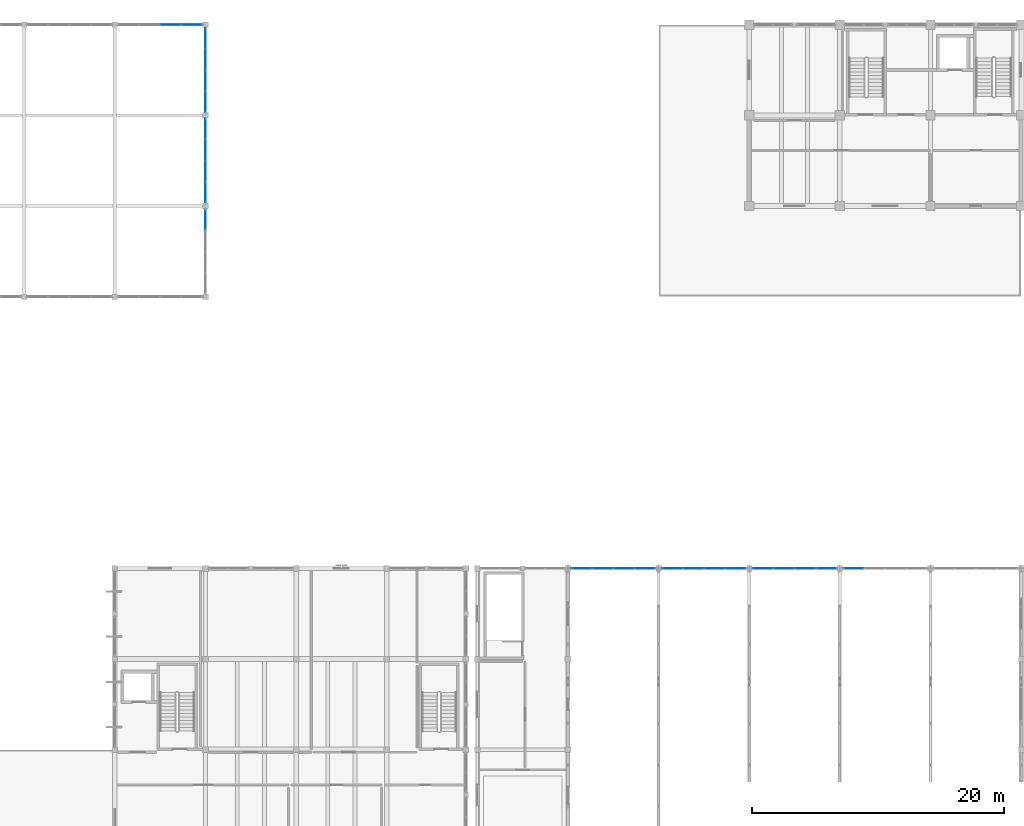
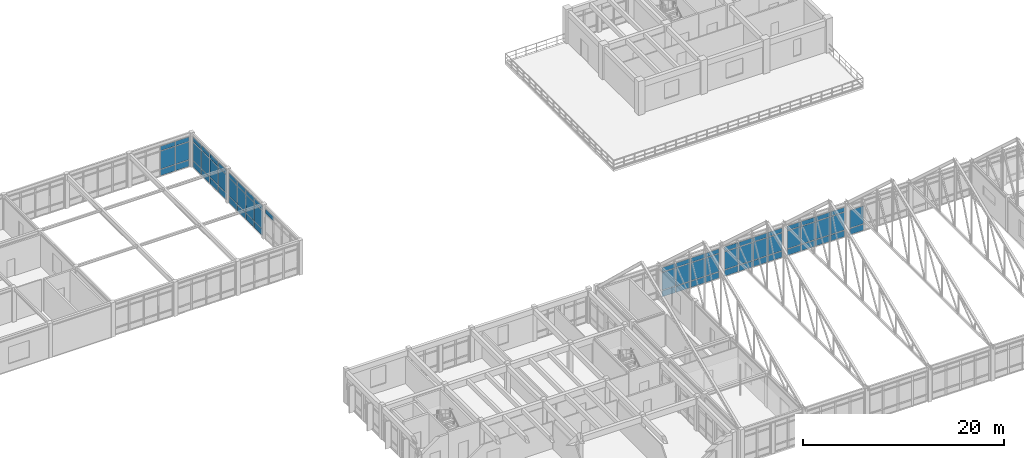
# One storey, part 83 of 136: 69 plates, 8 elements without a shape of their own.
"""IFC4 building model written with IfcOpenShell, lengths in metres."""

from ifc_helpers import new_model, si_unit, direction, frame, origin, origin_2d, place, context, subcontext, project, spatial, rectangle, extrude, material, layer, layer_set, type_object, element, aggregate, save


model = new_model("IFC4")

# Units and contexts
model_context = context("Model", 3, precision=1e-05, world=origin(), true_north=direction((0.0, 1.0)))
body_context = subcontext(model_context, "Body", "Model", "MODEL_VIEW")
ifc_project = project(units=[si_unit("LENGTHUNIT", "METRE"), si_unit("AREAUNIT", "SQUARE_METRE"), si_unit("VOLUMEUNIT", "CUBIC_METRE"), si_unit("PLANEANGLEUNIT", "RADIAN"), si_unit("MASSUNIT", "GRAM", prefix="KILO")], contexts=[model_context])

# Site, building, storey
site_placement = place(None, origin())
site = spatial("IfcSite", under=ifc_project, at=site_placement, CompositionType="ELEMENT")
building_placement = place(site_placement, origin())
building = spatial("IfcBuilding", under=site, at=building_placement, Name="Koriwan Promenade Central Fire Station", CompositionType="ELEMENT")
storey_placement = place(building_placement, frame((0.0, 0.0, 5.39990234375)))
storey = spatial("IfcBuildingStorey", under=building, at=storey_placement, Name="L01", CompositionType="ELEMENT", Elevation=5.39990234375)

# Curtain wall, plates
ifc_material_1 = material(Name="Aluminium EN AW-6063-T6 and low-E glazing", Category="aluminium")
ifc_layer_1 = layer(ifc_material_1, 0.159912109375, Name="Aluminium EN AW-6063-T6 and low-E glazing")
ifc_layer_set_1 = layer_set([ifc_layer_1], Name="Aluminium EN AW-6063-T6 and low-E glazing")
curtain_wall_type_1 = type_object("IfcCurtainWallType", Name="CurtainWall_93_675x372", PredefinedType="USERDEFINED", material=ifc_layer_set_1)
curtain_wall_1_placement = place(storey_placement, origin())
curtain_wall_1 = element("IfcCurtainWall", 1, at=curtain_wall_1_placement, inside=storey, type_object=curtain_wall_type_1, Name="V1 L01 unitised curtain wall 290", ObjectType="UNITISED CURTAIN WALL", PredefinedType="USERDEFINED")
ifc_material_2 = material(Name="Low-E laminated double glazing", Category="glass")
ifc_layer_2 = layer(ifc_material_2, 0.028076171875, Name="Low-E laminated double glazing")
ifc_layer_set_2 = layer_set([ifc_layer_2], Name="Low-E laminated double glazing")
plate_type = type_object("IfcPlateType", Name="CWPanel_28", PredefinedType="CURTAIN_PANEL", material=ifc_layer_set_2)
plate_1_placement = place(storey_placement, frame((65.888671875, 72.0, 0.080078125), z_axis=(0.0, 0.0, 1.0), x_axis=(1.0, 0.0, 0.0)))
plate_1 = element("IfcPlate", 2, at=plate_1_placement, type_object=plate_type, Name="CW-93 panel 1.1", PredefinedType="CURTAIN_PANEL", context=body_context, shape_type="SweptSolid", body=[
    extrude(rectangle(XDim=1.5673828125, YDim=0.028076171875, at=origin_2d()), origin(), (0.0, 0.0, 1.0), 0.72998046875),
])
plate_2_placement = place(storey_placement, frame((65.888671875, 72.0, 0.89013671875), z_axis=(0.0, 0.0, 1.0), x_axis=(1.0, 0.0, 0.0)))
plate_2 = element("IfcPlate", 3, at=plate_2_placement, type_object=plate_type, Name="CW-93 panel 1.2", PredefinedType="CURTAIN_PANEL", context=body_context, shape_type="SweptSolid", body=[
    extrude(rectangle(XDim=1.5673828125, YDim=0.028076171875, at=origin_2d()), origin(), (0.0, 0.0, 1.0), 2.14111328125),
])
plate_3_placement = place(storey_placement, frame((65.888671875, 72.0, 3.11083984375), z_axis=(0.0, 0.0, 1.0), x_axis=(1.0, 0.0, 0.0)))
plate_3 = element("IfcPlate", 4, at=plate_3_placement, type_object=plate_type, Name="CW-93 panel 1.3", PredefinedType="CURTAIN_PANEL", context=body_context, shape_type="SweptSolid", body=[
    extrude(rectangle(XDim=1.5673828125, YDim=0.028076171875, at=origin_2d()), origin(), (0.0, 0.0, 1.0), 0.530029296875),
])
plate_4_placement = place(storey_placement, frame((67.55615234375, 72.0, 0.080078125), z_axis=(0.0, 0.0, 1.0), x_axis=(1.0, 0.0, 0.0)))
plate_4 = element("IfcPlate", 5, at=plate_4_placement, type_object=plate_type, Name="CW-93 panel 2.1", PredefinedType="CURTAIN_PANEL", context=body_context, shape_type="SweptSolid", body=[
    extrude(rectangle(XDim=1.607421875, YDim=0.028076171875, at=origin_2d()), origin(), (0.0, 0.0, 1.0), 0.72998046875),
])
plate_5_placement = place(storey_placement, frame((67.55615234375, 72.0, 0.89013671875), z_axis=(0.0, 0.0, 1.0), x_axis=(1.0, 0.0, 0.0)))
plate_5 = element("IfcPlate", 6, at=plate_5_placement, type_object=plate_type, Name="CW-93 panel 2.2", PredefinedType="CURTAIN_PANEL", context=body_context, shape_type="SweptSolid", body=[
    extrude(rectangle(XDim=1.607421875, YDim=0.028076171875, at=origin_2d()), origin(), (0.0, 0.0, 1.0), 2.14111328125),
])
plate_6_placement = place(storey_placement, frame((67.55615234375, 72.0, 3.11083984375), z_axis=(0.0, 0.0, 1.0), x_axis=(1.0, 0.0, 0.0)))
plate_6 = element("IfcPlate", 7, at=plate_6_placement, type_object=plate_type, Name="CW-93 panel 2.3", PredefinedType="CURTAIN_PANEL", context=body_context, shape_type="SweptSolid", body=[
    extrude(rectangle(XDim=1.607421875, YDim=0.028076171875, at=origin_2d()), origin(), (0.0, 0.0, 1.0), 0.530029296875),
])
plate_7_placement = place(storey_placement, frame((69.24365234375, 72.0, 0.080078125), z_axis=(0.0, 0.0, 1.0), x_axis=(1.0, 0.0, 0.0)))
plate_7 = element("IfcPlate", 8, at=plate_7_placement, type_object=plate_type, Name="CW-93 panel 3.1", PredefinedType="CURTAIN_PANEL", context=body_context, shape_type="SweptSolid", body=[
    extrude(rectangle(XDim=1.607421875, YDim=0.028076171875, at=origin_2d()), origin(), (0.0, 0.0, 1.0), 0.72998046875),
])
plate_8_placement = place(storey_placement, frame((69.24365234375, 72.0, 0.89013671875), z_axis=(0.0, 0.0, 1.0), x_axis=(1.0, 0.0, 0.0)))
plate_8 = element("IfcPlate", 9, at=plate_8_placement, type_object=plate_type, Name="CW-93 panel 3.2", PredefinedType="CURTAIN_PANEL", context=body_context, shape_type="SweptSolid", body=[
    extrude(rectangle(XDim=1.607421875, YDim=0.028076171875, at=origin_2d()), origin(), (0.0, 0.0, 1.0), 2.14111328125),
])
plate_9_placement = place(storey_placement, frame((69.24365234375, 72.0, 3.11083984375), z_axis=(0.0, 0.0, 1.0), x_axis=(1.0, 0.0, 0.0)))
plate_9 = element("IfcPlate", 10, at=plate_9_placement, type_object=plate_type, Name="CW-93 panel 3.3", PredefinedType="CURTAIN_PANEL", context=body_context, shape_type="SweptSolid", body=[
    extrude(rectangle(XDim=1.607421875, YDim=0.028076171875, at=origin_2d()), origin(), (0.0, 0.0, 1.0), 0.530029296875),
])
plate_10_placement = place(storey_placement, frame((70.9111328125, 72.0, 0.080078125), z_axis=(0.0, 0.0, 1.0), x_axis=(1.0, 0.0, 0.0)))
plate_10 = element("IfcPlate", 11, at=plate_10_placement, type_object=plate_type, Name="CW-93 panel 4.1", PredefinedType="CURTAIN_PANEL", context=body_context, shape_type="SweptSolid", body=[
    extrude(rectangle(XDim=1.5673828125, YDim=0.028076171875, at=origin_2d()), origin(), (0.0, 0.0, 1.0), 0.72998046875),
])
plate_11_placement = place(storey_placement, frame((70.9111328125, 72.0, 0.89013671875), z_axis=(0.0, 0.0, 1.0), x_axis=(1.0, 0.0, 0.0)))
plate_11 = element("IfcPlate", 12, at=plate_11_placement, type_object=plate_type, Name="CW-93 panel 4.2", PredefinedType="CURTAIN_PANEL", context=body_context, shape_type="SweptSolid", body=[
    extrude(rectangle(XDim=1.5673828125, YDim=0.028076171875, at=origin_2d()), origin(), (0.0, 0.0, 1.0), 2.14111328125),
])
plate_12_placement = place(storey_placement, frame((70.9111328125, 72.0, 3.11083984375), z_axis=(0.0, 0.0, 1.0), x_axis=(1.0, 0.0, 0.0)))
plate_12 = element("IfcPlate", 13, at=plate_12_placement, type_object=plate_type, Name="CW-93 panel 4.3", PredefinedType="CURTAIN_PANEL", context=body_context, shape_type="SweptSolid", body=[
    extrude(rectangle(XDim=1.5673828125, YDim=0.028076171875, at=origin_2d()), origin(), (0.0, 0.0, 1.0), 0.530029296875),
])
aggregate(curtain_wall_1, [plate_1, plate_2, plate_3, plate_4, plate_5, plate_6, plate_7, plate_8, plate_9, plate_10, plate_11, plate_12])

curtain_wall_2_placement = place(storey_placement, origin())
curtain_wall_2 = element("IfcCurtainWall", 14, at=curtain_wall_2_placement, inside=storey, type_object=curtain_wall_type_1, Name="V1 L01 unitised curtain wall 292", ObjectType="UNITISED CURTAIN WALL", PredefinedType="USERDEFINED")
plate_13_placement = place(storey_placement, frame((73.0888671875, 72.0, 0.080078125), z_axis=(0.0, 0.0, 1.0), x_axis=(1.0, 0.0, 0.0)))
plate_13 = element("IfcPlate", 15, at=plate_13_placement, type_object=plate_type, Name="CW-93 panel 1.1", PredefinedType="CURTAIN_PANEL", context=body_context, shape_type="SweptSolid", body=[
    extrude(rectangle(XDim=1.5673828125, YDim=0.028076171875, at=origin_2d()), origin(), (0.0, 0.0, 1.0), 0.72998046875),
])
plate_14_placement = place(storey_placement, frame((73.0888671875, 72.0, 0.89013671875), z_axis=(0.0, 0.0, 1.0), x_axis=(1.0, 0.0, 0.0)))
plate_14 = element("IfcPlate", 16, at=plate_14_placement, type_object=plate_type, Name="CW-93 panel 1.2", PredefinedType="CURTAIN_PANEL", context=body_context, shape_type="SweptSolid", body=[
    extrude(rectangle(XDim=1.5673828125, YDim=0.028076171875, at=origin_2d()), origin(), (0.0, 0.0, 1.0), 2.14111328125),
])
plate_15_placement = place(storey_placement, frame((73.0888671875, 72.0, 3.11083984375), z_axis=(0.0, 0.0, 1.0), x_axis=(1.0, 0.0, 0.0)))
plate_15 = element("IfcPlate", 17, at=plate_15_placement, type_object=plate_type, Name="CW-93 panel 1.3", PredefinedType="CURTAIN_PANEL", context=body_context, shape_type="SweptSolid", body=[
    extrude(rectangle(XDim=1.5673828125, YDim=0.028076171875, at=origin_2d()), origin(), (0.0, 0.0, 1.0), 0.530029296875),
])
plate_16_placement = place(storey_placement, frame((74.75634765625, 72.0, 0.080078125), z_axis=(0.0, 0.0, 1.0), x_axis=(1.0, 0.0, 0.0)))
plate_16 = element("IfcPlate", 18, at=plate_16_placement, type_object=plate_type, Name="CW-93 panel 2.1", PredefinedType="CURTAIN_PANEL", context=body_context, shape_type="SweptSolid", body=[
    extrude(rectangle(XDim=1.607421875, YDim=0.028076171875, at=origin_2d()), origin(), (0.0, 0.0, 1.0), 0.72998046875),
])
plate_17_placement = place(storey_placement, frame((74.75634765625, 72.0, 0.89013671875), z_axis=(0.0, 0.0, 1.0), x_axis=(1.0, 0.0, 0.0)))
plate_17 = element("IfcPlate", 19, at=plate_17_placement, type_object=plate_type, Name="CW-93 panel 2.2", PredefinedType="CURTAIN_PANEL", context=body_context, shape_type="SweptSolid", body=[
    extrude(rectangle(XDim=1.607421875, YDim=0.028076171875, at=origin_2d()), origin(), (0.0, 0.0, 1.0), 2.14111328125),
])
plate_18_placement = place(storey_placement, frame((74.75634765625, 72.0, 3.11083984375), z_axis=(0.0, 0.0, 1.0), x_axis=(1.0, 0.0, 0.0)))
plate_18 = element("IfcPlate", 20, at=plate_18_placement, type_object=plate_type, Name="CW-93 panel 2.3", PredefinedType="CURTAIN_PANEL", context=body_context, shape_type="SweptSolid", body=[
    extrude(rectangle(XDim=1.607421875, YDim=0.028076171875, at=origin_2d()), origin(), (0.0, 0.0, 1.0), 0.530029296875),
])
plate_19_placement = place(storey_placement, frame((76.44384765625, 72.0, 0.080078125), z_axis=(0.0, 0.0, 1.0), x_axis=(1.0, 0.0, 0.0)))
plate_19 = element("IfcPlate", 21, at=plate_19_placement, type_object=plate_type, Name="CW-93 panel 3.1", PredefinedType="CURTAIN_PANEL", context=body_context, shape_type="SweptSolid", body=[
    extrude(rectangle(XDim=1.607421875, YDim=0.028076171875, at=origin_2d()), origin(), (0.0, 0.0, 1.0), 0.72998046875),
])
plate_20_placement = place(storey_placement, frame((76.44384765625, 72.0, 0.89013671875), z_axis=(0.0, 0.0, 1.0), x_axis=(1.0, 0.0, 0.0)))
plate_20 = element("IfcPlate", 22, at=plate_20_placement, type_object=plate_type, Name="CW-93 panel 3.2", PredefinedType="CURTAIN_PANEL", context=body_context, shape_type="SweptSolid", body=[
    extrude(rectangle(XDim=1.607421875, YDim=0.028076171875, at=origin_2d()), origin(), (0.0, 0.0, 1.0), 2.14111328125),
])
plate_21_placement = place(storey_placement, frame((76.44384765625, 72.0, 3.11083984375), z_axis=(0.0, 0.0, 1.0), x_axis=(1.0, 0.0, 0.0)))
plate_21 = element("IfcPlate", 23, at=plate_21_placement, type_object=plate_type, Name="CW-93 panel 3.3", PredefinedType="CURTAIN_PANEL", context=body_context, shape_type="SweptSolid", body=[
    extrude(rectangle(XDim=1.607421875, YDim=0.028076171875, at=origin_2d()), origin(), (0.0, 0.0, 1.0), 0.530029296875),
])
plate_22_placement = place(storey_placement, frame((78.111328125, 72.0, 0.080078125), z_axis=(0.0, 0.0, 1.0), x_axis=(1.0, 0.0, 0.0)))
plate_22 = element("IfcPlate", 24, at=plate_22_placement, type_object=plate_type, Name="CW-93 panel 4.1", PredefinedType="CURTAIN_PANEL", context=body_context, shape_type="SweptSolid", body=[
    extrude(rectangle(XDim=1.5673828125, YDim=0.028076171875, at=origin_2d()), origin(), (0.0, 0.0, 1.0), 0.72998046875),
])
plate_23_placement = place(storey_placement, frame((78.111328125, 72.0, 0.89013671875), z_axis=(0.0, 0.0, 1.0), x_axis=(1.0, 0.0, 0.0)))
plate_23 = element("IfcPlate", 25, at=plate_23_placement, type_object=plate_type, Name="CW-93 panel 4.2", PredefinedType="CURTAIN_PANEL", context=body_context, shape_type="SweptSolid", body=[
    extrude(rectangle(XDim=1.5673828125, YDim=0.028076171875, at=origin_2d()), origin(), (0.0, 0.0, 1.0), 2.14111328125),
])
plate_24_placement = place(storey_placement, frame((78.111328125, 72.0, 3.11083984375), z_axis=(0.0, 0.0, 1.0), x_axis=(1.0, 0.0, 0.0)))
plate_24 = element("IfcPlate", 26, at=plate_24_placement, type_object=plate_type, Name="CW-93 panel 4.3", PredefinedType="CURTAIN_PANEL", context=body_context, shape_type="SweptSolid", body=[
    extrude(rectangle(XDim=1.5673828125, YDim=0.028076171875, at=origin_2d()), origin(), (0.0, 0.0, 1.0), 0.530029296875),
])
aggregate(curtain_wall_2, [plate_13, plate_14, plate_15, plate_16, plate_17, plate_18, plate_19, plate_20, plate_21, plate_22, plate_23, plate_24])

curtain_wall_3_placement = place(storey_placement, origin())
curtain_wall_3 = element("IfcCurtainWall", 27, at=curtain_wall_3_placement, inside=storey, type_object=curtain_wall_type_1, Name="V1 L01 unitised curtain wall 294", ObjectType="UNITISED CURTAIN WALL", PredefinedType="USERDEFINED")
plate_25_placement = place(storey_placement, frame((80.288818359375, 72.0, 0.080078125), z_axis=(0.0, 0.0, 1.0), x_axis=(1.0, 0.0, 0.0)))
plate_25 = element("IfcPlate", 28, at=plate_25_placement, type_object=plate_type, Name="CW-93 panel 1.1", PredefinedType="CURTAIN_PANEL", context=body_context, shape_type="SweptSolid", body=[
    extrude(rectangle(XDim=1.5673828125, YDim=0.028076171875, at=origin_2d()), origin(), (0.0, 0.0, 1.0), 0.72998046875),
])
plate_26_placement = place(storey_placement, frame((80.288818359375, 72.0, 0.89013671875), z_axis=(0.0, 0.0, 1.0), x_axis=(1.0, 0.0, 0.0)))
plate_26 = element("IfcPlate", 29, at=plate_26_placement, type_object=plate_type, Name="CW-93 panel 1.2", PredefinedType="CURTAIN_PANEL", context=body_context, shape_type="SweptSolid", body=[
    extrude(rectangle(XDim=1.5673828125, YDim=0.028076171875, at=origin_2d()), origin(), (0.0, 0.0, 1.0), 2.14111328125),
])
plate_27_placement = place(storey_placement, frame((80.288818359375, 72.0, 3.11083984375), z_axis=(0.0, 0.0, 1.0), x_axis=(1.0, 0.0, 0.0)))
plate_27 = element("IfcPlate", 30, at=plate_27_placement, type_object=plate_type, Name="CW-93 panel 1.3", PredefinedType="CURTAIN_PANEL", context=body_context, shape_type="SweptSolid", body=[
    extrude(rectangle(XDim=1.5673828125, YDim=0.028076171875, at=origin_2d()), origin(), (0.0, 0.0, 1.0), 0.530029296875),
])
plate_28_placement = place(storey_placement, frame((81.956298828125, 72.0, 0.080078125), z_axis=(0.0, 0.0, 1.0), x_axis=(1.0, 0.0, 0.0)))
plate_28 = element("IfcPlate", 31, at=plate_28_placement, type_object=plate_type, Name="CW-93 panel 2.1", PredefinedType="CURTAIN_PANEL", context=body_context, shape_type="SweptSolid", body=[
    extrude(rectangle(XDim=1.607421875, YDim=0.028076171875, at=origin_2d()), origin(), (0.0, 0.0, 1.0), 0.72998046875),
])
plate_29_placement = place(storey_placement, frame((81.956298828125, 72.0, 0.89013671875), z_axis=(0.0, 0.0, 1.0), x_axis=(1.0, 0.0, 0.0)))
plate_29 = element("IfcPlate", 32, at=plate_29_placement, type_object=plate_type, Name="CW-93 panel 2.2", PredefinedType="CURTAIN_PANEL", context=body_context, shape_type="SweptSolid", body=[
    extrude(rectangle(XDim=1.607421875, YDim=0.028076171875, at=origin_2d()), origin(), (0.0, 0.0, 1.0), 2.14111328125),
])
plate_30_placement = place(storey_placement, frame((81.956298828125, 72.0, 3.11083984375), z_axis=(0.0, 0.0, 1.0), x_axis=(1.0, 0.0, 0.0)))
plate_30 = element("IfcPlate", 33, at=plate_30_placement, type_object=plate_type, Name="CW-93 panel 2.3", PredefinedType="CURTAIN_PANEL", context=body_context, shape_type="SweptSolid", body=[
    extrude(rectangle(XDim=1.607421875, YDim=0.028076171875, at=origin_2d()), origin(), (0.0, 0.0, 1.0), 0.530029296875),
])
plate_31_placement = place(storey_placement, frame((83.643798828125, 72.0, 0.080078125), z_axis=(0.0, 0.0, 1.0), x_axis=(1.0, 0.0, 0.0)))
plate_31 = element("IfcPlate", 34, at=plate_31_placement, type_object=plate_type, Name="CW-93 panel 3.1", PredefinedType="CURTAIN_PANEL", context=body_context, shape_type="SweptSolid", body=[
    extrude(rectangle(XDim=1.607421875, YDim=0.028076171875, at=origin_2d()), origin(), (0.0, 0.0, 1.0), 0.72998046875),
])
plate_32_placement = place(storey_placement, frame((83.643798828125, 72.0, 0.89013671875), z_axis=(0.0, 0.0, 1.0), x_axis=(1.0, 0.0, 0.0)))
plate_32 = element("IfcPlate", 35, at=plate_32_placement, type_object=plate_type, Name="CW-93 panel 3.2", PredefinedType="CURTAIN_PANEL", context=body_context, shape_type="SweptSolid", body=[
    extrude(rectangle(XDim=1.607421875, YDim=0.028076171875, at=origin_2d()), origin(), (0.0, 0.0, 1.0), 2.14111328125),
])
plate_33_placement = place(storey_placement, frame((83.643798828125, 72.0, 3.11083984375), z_axis=(0.0, 0.0, 1.0), x_axis=(1.0, 0.0, 0.0)))
plate_33 = element("IfcPlate", 36, at=plate_33_placement, type_object=plate_type, Name="CW-93 panel 3.3", PredefinedType="CURTAIN_PANEL", context=body_context, shape_type="SweptSolid", body=[
    extrude(rectangle(XDim=1.607421875, YDim=0.028076171875, at=origin_2d()), origin(), (0.0, 0.0, 1.0), 0.530029296875),
])
plate_34_placement = place(storey_placement, frame((85.311279296875, 72.0, 0.080078125), z_axis=(0.0, 0.0, 1.0), x_axis=(1.0, 0.0, 0.0)))
plate_34 = element("IfcPlate", 37, at=plate_34_placement, type_object=plate_type, Name="CW-93 panel 4.1", PredefinedType="CURTAIN_PANEL", context=body_context, shape_type="SweptSolid", body=[
    extrude(rectangle(XDim=1.5673828125, YDim=0.028076171875, at=origin_2d()), origin(), (0.0, 0.0, 1.0), 0.72998046875),
])
plate_35_placement = place(storey_placement, frame((85.311279296875, 72.0, 0.89013671875), z_axis=(0.0, 0.0, 1.0), x_axis=(1.0, 0.0, 0.0)))
plate_35 = element("IfcPlate", 38, at=plate_35_placement, type_object=plate_type, Name="CW-93 panel 4.2", PredefinedType="CURTAIN_PANEL", context=body_context, shape_type="SweptSolid", body=[
    extrude(rectangle(XDim=1.5673828125, YDim=0.028076171875, at=origin_2d()), origin(), (0.0, 0.0, 1.0), 2.14111328125),
])
plate_36_placement = place(storey_placement, frame((85.311279296875, 72.0, 3.11083984375), z_axis=(0.0, 0.0, 1.0), x_axis=(1.0, 0.0, 0.0)))
plate_36 = element("IfcPlate", 39, at=plate_36_placement, type_object=plate_type, Name="CW-93 panel 4.3", PredefinedType="CURTAIN_PANEL", context=body_context, shape_type="SweptSolid", body=[
    extrude(rectangle(XDim=1.5673828125, YDim=0.028076171875, at=origin_2d()), origin(), (0.0, 0.0, 1.0), 0.530029296875),
])
aggregate(curtain_wall_3, [plate_25, plate_26, plate_27, plate_28, plate_29, plate_30, plate_31, plate_32, plate_33, plate_34, plate_35, plate_36])

curtain_wall_4_placement = place(storey_placement, origin())
curtain_wall_4 = element("IfcCurtainWall", 40, at=curtain_wall_4_placement, inside=storey, type_object=curtain_wall_type_1, Name="V1 L01 unitised curtain wall 296", ObjectType="UNITISED CURTAIN WALL", PredefinedType="USERDEFINED")
plate_37_placement = place(storey_placement, frame((87.48876953125, 72.0, 0.080078125), z_axis=(0.0, 0.0, 1.0), x_axis=(1.0, 0.0, 0.0)))
plate_37 = element("IfcPlate", 41, at=plate_37_placement, type_object=plate_type, Name="CW-93 panel 1.1", PredefinedType="CURTAIN_PANEL", context=body_context, shape_type="SweptSolid", body=[
    extrude(rectangle(XDim=1.5673828125, YDim=0.028076171875, at=origin_2d()), origin(), (0.0, 0.0, 1.0), 0.72998046875),
])
plate_38_placement = place(storey_placement, frame((87.48876953125, 72.0, 0.89013671875), z_axis=(0.0, 0.0, 1.0), x_axis=(1.0, 0.0, 0.0)))
plate_38 = element("IfcPlate", 42, at=plate_38_placement, type_object=plate_type, Name="CW-93 panel 1.2", PredefinedType="CURTAIN_PANEL", context=body_context, shape_type="SweptSolid", body=[
    extrude(rectangle(XDim=1.5673828125, YDim=0.028076171875, at=origin_2d()), origin(), (0.0, 0.0, 1.0), 2.14111328125),
])
aggregate(curtain_wall_4, [plate_37, plate_38])

ifc_layer_3 = layer(ifc_material_1, 0.159912109375, Name="Aluminium EN AW-6063-T6 and low-E glazing")
ifc_layer_set_3 = layer_set([ifc_layer_3], Name="Aluminium EN AW-6063-T6 and low-E glazing")
curtain_wall_type_2 = type_object("IfcCurtainWallType", Name="CurtainWall_95_675x372", PredefinedType="USERDEFINED", material=ifc_layer_set_3)
curtain_wall_5_placement = place(storey_placement, origin())
curtain_wall_5 = element("IfcCurtainWall", 43, at=curtain_wall_5_placement, inside=storey, type_object=curtain_wall_type_2, Name="V6 L01 unitised curtain wall 304", ObjectType="UNITISED CURTAIN WALL", PredefinedType="USERDEFINED")
plate_39_placement = place(storey_placement, frame((33.24365234375, 115.199951171875, 0.065185546875), z_axis=(0.0, 0.0, 1.0), x_axis=(1.0, 0.0, 0.0)))
plate_39 = element("IfcPlate", 44, at=plate_39_placement, type_object=plate_type, Name="CW-95 panel 3.1", PredefinedType="CURTAIN_PANEL", context=body_context, shape_type="SweptSolid", body=[
    extrude(rectangle(XDim=1.62255859375, YDim=0.028076171875, at=origin_2d()), origin(), (0.0, 0.0, 1.0), 0.75244140625),
])
plate_40_placement = place(storey_placement, frame((33.24365234375, 115.199951171875, 0.8828125), z_axis=(0.0, 0.0, 1.0), x_axis=(1.0, 0.0, 0.0)))
plate_40 = element("IfcPlate", 45, at=plate_40_placement, type_object=plate_type, Name="CW-95 panel 3.2", PredefinedType="CURTAIN_PANEL", context=body_context, shape_type="SweptSolid", body=[
    extrude(rectangle(XDim=1.62255859375, YDim=0.028076171875, at=origin_2d()), origin(), (0.0, 0.0, 1.0), 2.156005859375),
])
plate_41_placement = place(storey_placement, frame((33.24365234375, 115.199951171875, 3.103515625), z_axis=(0.0, 0.0, 1.0), x_axis=(1.0, 0.0, 0.0)))
plate_41 = element("IfcPlate", 46, at=plate_41_placement, type_object=plate_type, Name="CW-95 panel 3.3", PredefinedType="CURTAIN_PANEL", context=body_context, shape_type="SweptSolid", body=[
    extrude(rectangle(XDim=1.62255859375, YDim=0.028076171875, at=origin_2d()), origin(), (0.0, 0.0, 1.0), 0.552490234375),
])
plate_42_placement = place(storey_placement, frame((34.9150390625, 115.199951171875, 0.065185546875), z_axis=(0.0, 0.0, 1.0), x_axis=(1.0, 0.0, 0.0)))
plate_42 = element("IfcPlate", 47, at=plate_42_placement, type_object=plate_type, Name="CW-95 panel 4.1", PredefinedType="CURTAIN_PANEL", context=body_context, shape_type="SweptSolid", body=[
    extrude(rectangle(XDim=1.590087890625, YDim=0.028076171875, at=origin_2d()), origin(), (0.0, 0.0, 1.0), 0.75244140625),
])
plate_43_placement = place(storey_placement, frame((34.9150390625, 115.199951171875, 0.8828125), z_axis=(0.0, 0.0, 1.0), x_axis=(1.0, 0.0, 0.0)))
plate_43 = element("IfcPlate", 48, at=plate_43_placement, type_object=plate_type, Name="CW-95 panel 4.2", PredefinedType="CURTAIN_PANEL", context=body_context, shape_type="SweptSolid", body=[
    extrude(rectangle(XDim=1.590087890625, YDim=0.028076171875, at=origin_2d()), origin(), (0.0, 0.0, 1.0), 2.156005859375),
])
plate_44_placement = place(storey_placement, frame((34.9150390625, 115.199951171875, 3.103515625), z_axis=(0.0, 0.0, 1.0), x_axis=(1.0, 0.0, 0.0)))
plate_44 = element("IfcPlate", 49, at=plate_44_placement, type_object=plate_type, Name="CW-95 panel 4.3", PredefinedType="CURTAIN_PANEL", context=body_context, shape_type="SweptSolid", body=[
    extrude(rectangle(XDim=1.590087890625, YDim=0.028076171875, at=origin_2d()), origin(), (0.0, 0.0, 1.0), 0.552490234375),
])
aggregate(curtain_wall_5, [plate_39, plate_40, plate_41, plate_42, plate_43, plate_44])

# Curtain wall, plate
ifc_layer_4 = layer(ifc_material_1, 0.159912109375, Name="Aluminium EN AW-6063-T6 and low-E glazing")
ifc_layer_set_4 = layer_set([ifc_layer_4], Name="Aluminium EN AW-6063-T6 and low-E glazing")
curtain_wall_type_3 = type_object("IfcCurtainWallType", Name="CurtainWall_96_675x377", PredefinedType="USERDEFINED", material=ifc_layer_set_4)
curtain_wall_6_placement = place(storey_placement, origin())
curtain_wall_6 = element("IfcCurtainWall", 50, at=curtain_wall_6_placement, inside=storey, type_object=curtain_wall_type_3, Name="V6 L01 unitised curtain wall 305", ObjectType="UNITISED CURTAIN WALL", PredefinedType="USERDEFINED")
plate_45_placement = place(storey_placement, frame((36.0, 99.715087890625, 3.15576171875), z_axis=(0.0, 0.0, 1.0), x_axis=(0.0, 1.0, 0.0)))
plate_45 = element("IfcPlate", 51, at=plate_45_placement, type_object=plate_type, Name="CW-96 panel 4.3", PredefinedType="CURTAIN_PANEL", context=body_context, shape_type="SweptSolid", body=[
    extrude(rectangle(XDim=1.590087890625, YDim=0.028076171875, at=origin_2d()), origin(), (0.0, 0.0, 1.0), 0.552490234375),
])
aggregate(curtain_wall_6, [plate_45])

# Curtain wall, plates
curtain_wall_7_placement = place(storey_placement, origin())
curtain_wall_7 = element("IfcCurtainWall", 52, at=curtain_wall_7_placement, inside=storey, type_object=curtain_wall_type_3, Name="V6 L01 unitised curtain wall 306", ObjectType="UNITISED CURTAIN WALL", PredefinedType="USERDEFINED")
plate_46_placement = place(storey_placement, frame((36.0, 101.885009765625, 0.065185546875), z_axis=(0.0, 0.0, 1.0), x_axis=(0.0, 1.0, 0.0)))
plate_46 = element("IfcPlate", 53, at=plate_46_placement, type_object=plate_type, Name="CW-96 panel 1.1", PredefinedType="CURTAIN_PANEL", context=body_context, shape_type="SweptSolid", body=[
    extrude(rectangle(XDim=1.590087890625, YDim=0.028076171875, at=origin_2d()), origin(), (0.0, 0.0, 1.0), 0.75244140625),
])
plate_47_placement = place(storey_placement, frame((36.0, 101.885009765625, 0.882568359375), z_axis=(0.0, 0.0, 1.0), x_axis=(0.0, 1.0, 0.0)))
plate_47 = element("IfcPlate", 54, at=plate_47_placement, type_object=plate_type, Name="CW-96 panel 1.2", PredefinedType="CURTAIN_PANEL", context=body_context, shape_type="SweptSolid", body=[
    extrude(rectangle(XDim=1.590087890625, YDim=0.028076171875, at=origin_2d()), origin(), (0.0, 0.0, 1.0), 2.2080078125),
])
plate_48_placement = place(storey_placement, frame((36.0, 101.885009765625, 3.15576171875), z_axis=(0.0, 0.0, 1.0), x_axis=(0.0, 1.0, 0.0)))
plate_48 = element("IfcPlate", 55, at=plate_48_placement, type_object=plate_type, Name="CW-96 panel 1.3", PredefinedType="CURTAIN_PANEL", context=body_context, shape_type="SweptSolid", body=[
    extrude(rectangle(XDim=1.590087890625, YDim=0.028076171875, at=origin_2d()), origin(), (0.0, 0.0, 1.0), 0.552490234375),
])
plate_49_placement = place(storey_placement, frame((36.0, 103.55615234375, 0.065185546875), z_axis=(0.0, 0.0, 1.0), x_axis=(0.0, 1.0, 0.0)))
plate_49 = element("IfcPlate", 56, at=plate_49_placement, type_object=plate_type, Name="CW-96 panel 2.1", PredefinedType="CURTAIN_PANEL", context=body_context, shape_type="SweptSolid", body=[
    extrude(rectangle(XDim=1.62255859375, YDim=0.028076171875, at=origin_2d()), origin(), (0.0, 0.0, 1.0), 0.75244140625),
])
plate_50_placement = place(storey_placement, frame((36.0, 103.55615234375, 0.882568359375), z_axis=(0.0, 0.0, 1.0), x_axis=(0.0, 1.0, 0.0)))
plate_50 = element("IfcPlate", 57, at=plate_50_placement, type_object=plate_type, Name="CW-96 panel 2.2", PredefinedType="CURTAIN_PANEL", context=body_context, shape_type="SweptSolid", body=[
    extrude(rectangle(XDim=1.62255859375, YDim=0.028076171875, at=origin_2d()), origin(), (0.0, 0.0, 1.0), 2.2080078125),
])
plate_51_placement = place(storey_placement, frame((36.0, 103.55615234375, 3.15576171875), z_axis=(0.0, 0.0, 1.0), x_axis=(0.0, 1.0, 0.0)))
plate_51 = element("IfcPlate", 58, at=plate_51_placement, type_object=plate_type, Name="CW-96 panel 2.3", PredefinedType="CURTAIN_PANEL", context=body_context, shape_type="SweptSolid", body=[
    extrude(rectangle(XDim=1.62255859375, YDim=0.028076171875, at=origin_2d()), origin(), (0.0, 0.0, 1.0), 0.552490234375),
])
plate_52_placement = place(storey_placement, frame((36.0, 105.24365234375, 0.065185546875), z_axis=(0.0, 0.0, 1.0), x_axis=(0.0, 1.0, 0.0)))
plate_52 = element("IfcPlate", 59, at=plate_52_placement, type_object=plate_type, Name="CW-96 panel 3.1", PredefinedType="CURTAIN_PANEL", context=body_context, shape_type="SweptSolid", body=[
    extrude(rectangle(XDim=1.62255859375, YDim=0.028076171875, at=origin_2d()), origin(), (0.0, 0.0, 1.0), 0.75244140625),
])
plate_53_placement = place(storey_placement, frame((36.0, 105.24365234375, 0.882568359375), z_axis=(0.0, 0.0, 1.0), x_axis=(0.0, 1.0, 0.0)))
plate_53 = element("IfcPlate", 60, at=plate_53_placement, type_object=plate_type, Name="CW-96 panel 3.2", PredefinedType="CURTAIN_PANEL", context=body_context, shape_type="SweptSolid", body=[
    extrude(rectangle(XDim=1.62255859375, YDim=0.028076171875, at=origin_2d()), origin(), (0.0, 0.0, 1.0), 2.2080078125),
])
plate_54_placement = place(storey_placement, frame((36.0, 105.24365234375, 3.15576171875), z_axis=(0.0, 0.0, 1.0), x_axis=(0.0, 1.0, 0.0)))
plate_54 = element("IfcPlate", 61, at=plate_54_placement, type_object=plate_type, Name="CW-96 panel 3.3", PredefinedType="CURTAIN_PANEL", context=body_context, shape_type="SweptSolid", body=[
    extrude(rectangle(XDim=1.62255859375, YDim=0.028076171875, at=origin_2d()), origin(), (0.0, 0.0, 1.0), 0.552490234375),
])
plate_55_placement = place(storey_placement, frame((36.0, 106.9150390625, 0.065185546875), z_axis=(0.0, 0.0, 1.0), x_axis=(0.0, 1.0, 0.0)))
plate_55 = element("IfcPlate", 62, at=plate_55_placement, type_object=plate_type, Name="CW-96 panel 4.1", PredefinedType="CURTAIN_PANEL", context=body_context, shape_type="SweptSolid", body=[
    extrude(rectangle(XDim=1.590087890625, YDim=0.028076171875, at=origin_2d()), origin(), (0.0, 0.0, 1.0), 0.75244140625),
])
plate_56_placement = place(storey_placement, frame((36.0, 106.9150390625, 0.882568359375), z_axis=(0.0, 0.0, 1.0), x_axis=(0.0, 1.0, 0.0)))
plate_56 = element("IfcPlate", 63, at=plate_56_placement, type_object=plate_type, Name="CW-96 panel 4.2", PredefinedType="CURTAIN_PANEL", context=body_context, shape_type="SweptSolid", body=[
    extrude(rectangle(XDim=1.590087890625, YDim=0.028076171875, at=origin_2d()), origin(), (0.0, 0.0, 1.0), 2.2080078125),
])
plate_57_placement = place(storey_placement, frame((36.0, 106.9150390625, 3.15576171875), z_axis=(0.0, 0.0, 1.0), x_axis=(0.0, 1.0, 0.0)))
plate_57 = element("IfcPlate", 64, at=plate_57_placement, type_object=plate_type, Name="CW-96 panel 4.3", PredefinedType="CURTAIN_PANEL", context=body_context, shape_type="SweptSolid", body=[
    extrude(rectangle(XDim=1.590087890625, YDim=0.028076171875, at=origin_2d()), origin(), (0.0, 0.0, 1.0), 0.552490234375),
])
aggregate(curtain_wall_7, [plate_46, plate_47, plate_48, plate_49, plate_50, plate_51, plate_52, plate_53, plate_54, plate_55, plate_56, plate_57])

curtain_wall_8_placement = place(storey_placement, origin())
curtain_wall_8 = element("IfcCurtainWall", 65, at=curtain_wall_8_placement, inside=storey, type_object=curtain_wall_type_3, Name="V6 L01 unitised curtain wall 307", ObjectType="UNITISED CURTAIN WALL", PredefinedType="USERDEFINED")
plate_58_placement = place(storey_placement, frame((36.0, 109.0849609375, 0.065185546875), z_axis=(0.0, 0.0, 1.0), x_axis=(0.0, 1.0, 0.0)))
plate_58 = element("IfcPlate", 66, at=plate_58_placement, type_object=plate_type, Name="CW-96 panel 1.1", PredefinedType="CURTAIN_PANEL", context=body_context, shape_type="SweptSolid", body=[
    extrude(rectangle(XDim=1.590087890625, YDim=0.028076171875, at=origin_2d()), origin(), (0.0, 0.0, 1.0), 0.75244140625),
])
plate_59_placement = place(storey_placement, frame((36.0, 109.0849609375, 0.882568359375), z_axis=(0.0, 0.0, 1.0), x_axis=(0.0, 1.0, 0.0)))
plate_59 = element("IfcPlate", 67, at=plate_59_placement, type_object=plate_type, Name="CW-96 panel 1.2", PredefinedType="CURTAIN_PANEL", context=body_context, shape_type="SweptSolid", body=[
    extrude(rectangle(XDim=1.590087890625, YDim=0.028076171875, at=origin_2d()), origin(), (0.0, 0.0, 1.0), 2.2080078125),
])
plate_60_placement = place(storey_placement, frame((36.0, 109.0849609375, 3.15576171875), z_axis=(0.0, 0.0, 1.0), x_axis=(0.0, 1.0, 0.0)))
plate_60 = element("IfcPlate", 68, at=plate_60_placement, type_object=plate_type, Name="CW-96 panel 1.3", PredefinedType="CURTAIN_PANEL", context=body_context, shape_type="SweptSolid", body=[
    extrude(rectangle(XDim=1.590087890625, YDim=0.028076171875, at=origin_2d()), origin(), (0.0, 0.0, 1.0), 0.552490234375),
])
plate_61_placement = place(storey_placement, frame((36.0, 110.75634765625, 0.065185546875), z_axis=(0.0, 0.0, 1.0), x_axis=(0.0, 1.0, 0.0)))
plate_61 = element("IfcPlate", 69, at=plate_61_placement, type_object=plate_type, Name="CW-96 panel 2.1", PredefinedType="CURTAIN_PANEL", context=body_context, shape_type="SweptSolid", body=[
    extrude(rectangle(XDim=1.62255859375, YDim=0.028076171875, at=origin_2d()), origin(), (0.0, 0.0, 1.0), 0.75244140625),
])
plate_62_placement = place(storey_placement, frame((36.0, 110.75634765625, 0.882568359375), z_axis=(0.0, 0.0, 1.0), x_axis=(0.0, 1.0, 0.0)))
plate_62 = element("IfcPlate", 70, at=plate_62_placement, type_object=plate_type, Name="CW-96 panel 2.2", PredefinedType="CURTAIN_PANEL", context=body_context, shape_type="SweptSolid", body=[
    extrude(rectangle(XDim=1.62255859375, YDim=0.028076171875, at=origin_2d()), origin(), (0.0, 0.0, 1.0), 2.2080078125),
])
plate_63_placement = place(storey_placement, frame((36.0, 110.75634765625, 3.15576171875), z_axis=(0.0, 0.0, 1.0), x_axis=(0.0, 1.0, 0.0)))
plate_63 = element("IfcPlate", 71, at=plate_63_placement, type_object=plate_type, Name="CW-96 panel 2.3", PredefinedType="CURTAIN_PANEL", context=body_context, shape_type="SweptSolid", body=[
    extrude(rectangle(XDim=1.62255859375, YDim=0.028076171875, at=origin_2d()), origin(), (0.0, 0.0, 1.0), 0.552490234375),
])
plate_64_placement = place(storey_placement, frame((36.0, 112.44384765625, 0.065185546875), z_axis=(0.0, 0.0, 1.0), x_axis=(0.0, 1.0, 0.0)))
plate_64 = element("IfcPlate", 72, at=plate_64_placement, type_object=plate_type, Name="CW-96 panel 3.1", PredefinedType="CURTAIN_PANEL", context=body_context, shape_type="SweptSolid", body=[
    extrude(rectangle(XDim=1.62255859375, YDim=0.028076171875, at=origin_2d()), origin(), (0.0, 0.0, 1.0), 0.75244140625),
])
plate_65_placement = place(storey_placement, frame((36.0, 112.44384765625, 0.882568359375), z_axis=(0.0, 0.0, 1.0), x_axis=(0.0, 1.0, 0.0)))
plate_65 = element("IfcPlate", 73, at=plate_65_placement, type_object=plate_type, Name="CW-96 panel 3.2", PredefinedType="CURTAIN_PANEL", context=body_context, shape_type="SweptSolid", body=[
    extrude(rectangle(XDim=1.62255859375, YDim=0.028076171875, at=origin_2d()), origin(), (0.0, 0.0, 1.0), 2.2080078125),
])
plate_66_placement = place(storey_placement, frame((36.0, 112.44384765625, 3.15576171875), z_axis=(0.0, 0.0, 1.0), x_axis=(0.0, 1.0, 0.0)))
plate_66 = element("IfcPlate", 74, at=plate_66_placement, type_object=plate_type, Name="CW-96 panel 3.3", PredefinedType="CURTAIN_PANEL", context=body_context, shape_type="SweptSolid", body=[
    extrude(rectangle(XDim=1.62255859375, YDim=0.028076171875, at=origin_2d()), origin(), (0.0, 0.0, 1.0), 0.552490234375),
])
plate_67_placement = place(storey_placement, frame((36.0, 114.114990234375, 0.065185546875), z_axis=(0.0, 0.0, 1.0), x_axis=(0.0, 1.0, 0.0)))
plate_67 = element("IfcPlate", 75, at=plate_67_placement, type_object=plate_type, Name="CW-96 panel 4.1", PredefinedType="CURTAIN_PANEL", context=body_context, shape_type="SweptSolid", body=[
    extrude(rectangle(XDim=1.590087890625, YDim=0.028076171875, at=origin_2d()), origin(), (0.0, 0.0, 1.0), 0.75244140625),
])
plate_68_placement = place(storey_placement, frame((36.0, 114.114990234375, 0.882568359375), z_axis=(0.0, 0.0, 1.0), x_axis=(0.0, 1.0, 0.0)))
plate_68 = element("IfcPlate", 76, at=plate_68_placement, type_object=plate_type, Name="CW-96 panel 4.2", PredefinedType="CURTAIN_PANEL", context=body_context, shape_type="SweptSolid", body=[
    extrude(rectangle(XDim=1.590087890625, YDim=0.028076171875, at=origin_2d()), origin(), (0.0, 0.0, 1.0), 2.2080078125),
])
plate_69_placement = place(storey_placement, frame((36.0, 114.114990234375, 3.15576171875), z_axis=(0.0, 0.0, 1.0), x_axis=(0.0, 1.0, 0.0)))
plate_69 = element("IfcPlate", 77, at=plate_69_placement, type_object=plate_type, Name="CW-96 panel 4.3", PredefinedType="CURTAIN_PANEL", context=body_context, shape_type="SweptSolid", body=[
    extrude(rectangle(XDim=1.590087890625, YDim=0.028076171875, at=origin_2d()), origin(), (0.0, 0.0, 1.0), 0.552490234375),
])
aggregate(curtain_wall_8, [plate_58, plate_59, plate_60, plate_61, plate_62, plate_63, plate_64, plate_65, plate_66, plate_67, plate_68, plate_69])

save(model, "model.ifc")
